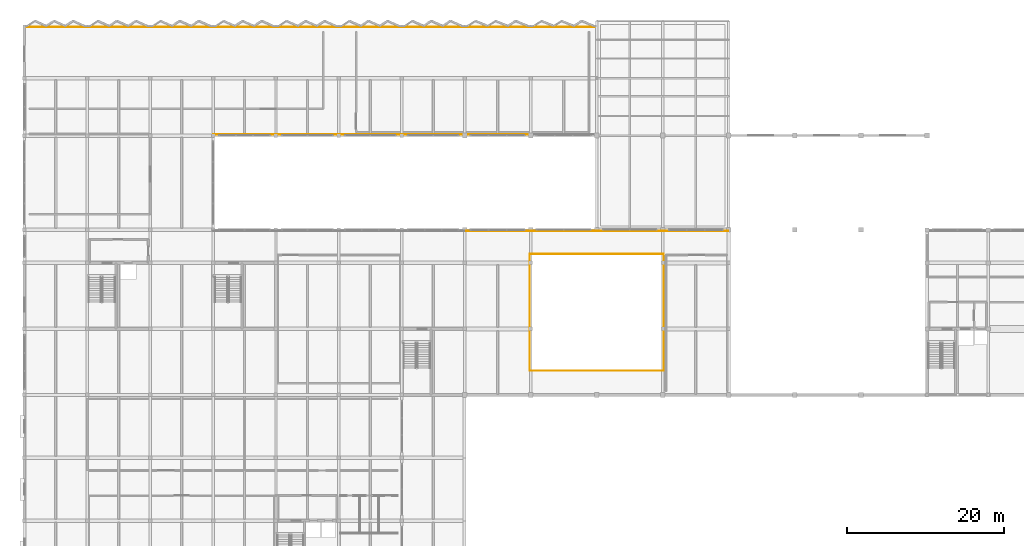
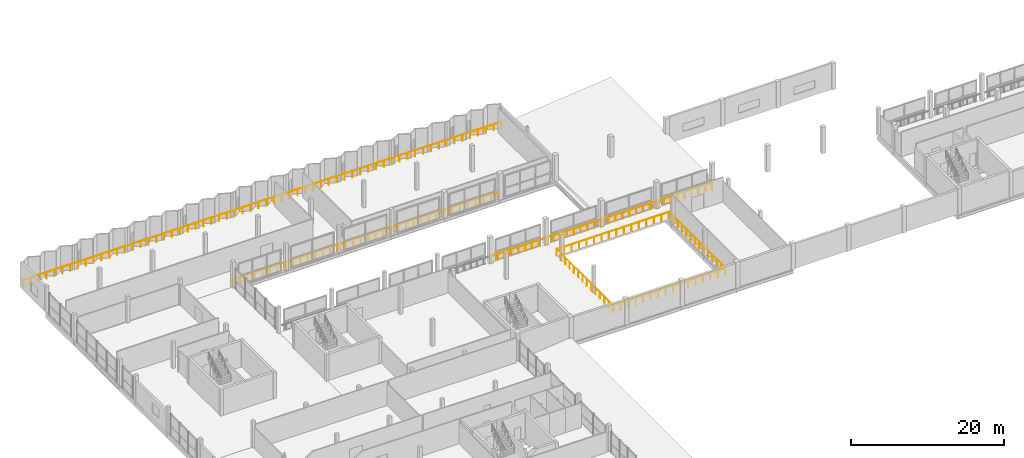
# One storey, part 49 of 53: 18 railings.
"""IFC4 building model written with IfcOpenShell, lengths in metres."""

from ifc_helpers import new_model, si_unit, direction, frame, origin, origin_2d, place, context, subcontext, project, spatial, circle, extrude, material, type_object, element, save


model = new_model("IFC4")

# Units and contexts
model_context = context("Model", 3, precision=1e-05, world=origin(), true_north=direction((0.0, 1.0)))
body_context = subcontext(model_context, "Body", "Model", "MODEL_VIEW")
ifc_project = project(units=[si_unit("LENGTHUNIT", "METRE"), si_unit("AREAUNIT", "SQUARE_METRE"), si_unit("VOLUMEUNIT", "CUBIC_METRE"), si_unit("PLANEANGLEUNIT", "RADIAN"), si_unit("MASSUNIT", "GRAM", prefix="KILO")], contexts=[model_context])

# Site, building, storey
site_placement = place(None, origin())
site = spatial("IfcSite", under=ifc_project, at=site_placement, CompositionType="ELEMENT")
building_placement = place(site_placement, origin())
building = spatial("IfcBuilding", under=site, at=building_placement, Name="Vharandega Faculty of Natural Sciences", CompositionType="ELEMENT")
storey_placement = place(building_placement, frame((0.0, 0.0, 10.199951171875)))
storey = spatial("IfcBuildingStorey", under=building, at=storey_placement, Name="L02", CompositionType="ELEMENT", Elevation=10.199951171875)

# Railings
ifc_material_1 = material(Name="Timber-capped steel and glass balustrade", Category="steel")
railing_type_1 = type_object("IfcRailingType", Name="Atrium Void Balustrade 1100", PredefinedType="BALUSTRADE", material=ifc_material_1)
railing_1_placement = place(storey_placement, frame((56.06494140625, 84.8798828125, 0.0)))
element("IfcRailing", 1, at=railing_1_placement, inside=storey, type_object=railing_type_1, Name="Atrium Glass Balustrade L02 #13", PredefinedType="BALUSTRADE", context=body_context, shape_type="SweptSolid", body=[
    extrude(circle(Radius=0.02392578125, at=origin_2d()), frame((0.0, 0.0, 1.076171875), z_axis=(1.0, 0.0, 0.0), x_axis=(0.0, 1.0, 0.0)), (0.0, 0.0, 1.0), 4.110107421875),
    extrude(circle(Radius=0.02099609375, at=origin_2d()), origin(), (0.0, 0.0, 1.0), 1.052001953125),
    extrude(circle(Radius=0.02099609375, at=origin_2d()), frame((1.027587890625, 0.0, 0.0)), (0.0, 0.0, 1.0), 1.052001953125),
    extrude(circle(Radius=0.02099609375, at=origin_2d()), frame((2.05517578125, 0.0, 0.0)), (0.0, 0.0, 1.0), 1.052001953125),
    extrude(circle(Radius=0.02099609375, at=origin_2d()), frame((3.08251953125, 0.0, 0.0)), (0.0, 0.0, 1.0), 1.052001953125),
    extrude(circle(Radius=0.02099609375, at=origin_2d()), frame((4.110107421875, 0.0, 0.0)), (0.0, 0.0, 1.0), 1.052001953125),
])
for number, where, name in (
    (2, (60.22509765625, 84.8798828125, 0.0), "Atrium Glass Balustrade L02 #14"),
    (3, (64.465087890625, 84.8798828125, 0.0), "Atrium Glass Balustrade L02 #16"),
):
    element("IfcRailing", number, at=place(storey_placement, frame(where)), inside=storey, type_object=railing_type_1, Name=name, PredefinedType="BALUSTRADE", context=body_context, shape_type="SweptSolid", body=[
        extrude(circle(Radius=0.02392578125, at=origin_2d()), frame((0.0, 0.0, 1.076171875), z_axis=(1.0, 0.0, 0.0), x_axis=(0.0, 1.0, 0.0)), (0.0, 0.0, 1.0), 4.10986328125),
        extrude(circle(Radius=0.02099609375, at=origin_2d()), origin(), (0.0, 0.0, 1.0), 1.052001953125),
        extrude(circle(Radius=0.02099609375, at=origin_2d()), frame((1.02734375, 0.0, 0.0)), (0.0, 0.0, 1.0), 1.052001953125),
        extrude(circle(Radius=0.02099609375, at=origin_2d()), frame((2.054931640625, 0.0, 0.0)), (0.0, 0.0, 1.0), 1.052001953125),
        extrude(circle(Radius=0.02099609375, at=origin_2d()), frame((3.08251953125, 0.0, 0.0)), (0.0, 0.0, 1.0), 1.052001953125),
        extrude(circle(Radius=0.02099609375, at=origin_2d()), frame((4.10986328125, 0.0, 0.0)), (0.0, 0.0, 1.0), 1.052001953125),
    ])
for number, where, name in (
    (4, (68.625, 84.8798828125, 0.0), "Atrium Glass Balustrade L02 #17"),
    (5, (72.864990234375, 84.8798828125, 0.0), "Atrium Glass Balustrade L02 #19"),
    (6, (77.02490234375, 84.8798828125, 0.0), "Atrium Glass Balustrade L02 #20"),
    (7, (81.264892578125, 84.8798828125, 0.0), "Atrium Glass Balustrade L02 #22"),
):
    element("IfcRailing", number, at=place(storey_placement, frame(where)), inside=storey, type_object=railing_type_1, Name=name, PredefinedType="BALUSTRADE", context=body_context, shape_type="SweptSolid", body=[
        extrude(circle(Radius=0.02392578125, at=origin_2d()), frame((0.0, 0.0, 1.076171875), z_axis=(1.0, 0.0, 0.0), x_axis=(0.0, 1.0, 0.0)), (0.0, 0.0, 1.0), 4.110107421875),
        extrude(circle(Radius=0.02099609375, at=origin_2d()), origin(), (0.0, 0.0, 1.0), 1.052001953125),
        extrude(circle(Radius=0.02099609375, at=origin_2d()), frame((1.027587890625, 0.0, 0.0)), (0.0, 0.0, 1.0), 1.052001953125),
        extrude(circle(Radius=0.02099609375, at=origin_2d()), frame((2.05517578125, 0.0, 0.0)), (0.0, 0.0, 1.0), 1.052001953125),
        extrude(circle(Radius=0.02099609375, at=origin_2d()), frame((3.08251953125, 0.0, 0.0)), (0.0, 0.0, 1.0), 1.052001953125),
        extrude(circle(Radius=0.02099609375, at=origin_2d()), frame((4.110107421875, 0.0, 0.0)), (0.0, 0.0, 1.0), 1.052001953125),
    ])
railing_2_placement = place(storey_placement, frame((85.425048828125, 84.8798828125, 0.0)))
element("IfcRailing", 8, at=railing_2_placement, inside=storey, type_object=railing_type_1, Name="Atrium Glass Balustrade L02 #23", PredefinedType="BALUSTRADE", context=body_context, shape_type="SweptSolid", body=[
    extrude(circle(Radius=0.02392578125, at=origin_2d()), frame((0.0, 0.0, 1.076171875), z_axis=(1.0, 0.0, 0.0), x_axis=(0.0, 1.0, 0.0)), (0.0, 0.0, 1.0), 4.10986328125),
    extrude(circle(Radius=0.02099609375, at=origin_2d()), origin(), (0.0, 0.0, 1.0), 1.052001953125),
    extrude(circle(Radius=0.02099609375, at=origin_2d()), frame((1.02734375, 0.0, 0.0)), (0.0, 0.0, 1.0), 1.052001953125),
    extrude(circle(Radius=0.02099609375, at=origin_2d()), frame((2.054931640625, 0.0, 0.0)), (0.0, 0.0, 1.0), 1.052001953125),
    extrude(circle(Radius=0.02099609375, at=origin_2d()), frame((3.08251953125, 0.0, 0.0)), (0.0, 0.0, 1.0), 1.052001953125),
    extrude(circle(Radius=0.02099609375, at=origin_2d()), frame((4.10986328125, 0.0, 0.0)), (0.0, 0.0, 1.0), 1.052001953125),
])
for number, where, name in (
    (9, (24.02490234375, 97.1201171875, 0.0), "Commons Courtyard Sill Balustrade L02 #1"),
    (10, (32.02490234375, 97.1201171875, 0.0), "Commons Courtyard Sill Balustrade L02 #2"),
    (11, (40.02490234375, 97.1201171875, 0.0), "Commons Courtyard Sill Balustrade L02 #3"),
    (12, (48.02490234375, 97.1201171875, 0.0), "Commons Courtyard Sill Balustrade L02 #4"),
):
    element("IfcRailing", number, at=place(storey_placement, frame(where)), inside=storey, type_object=railing_type_1, Name=name, PredefinedType="BALUSTRADE", context=body_context, shape_type="SweptSolid", body=[
        extrude(circle(Radius=0.02392578125, at=origin_2d()), frame((0.0, 0.0, 1.076171875), z_axis=(1.0, 0.0, 0.0), x_axis=(0.0, 1.0, 0.0)), (0.0, 0.0, 1.0), 7.9501953125),
        extrude(circle(Radius=0.02099609375, at=origin_2d()), origin(), (0.0, 0.0, 1.0), 1.052001953125),
        extrude(circle(Radius=0.02099609375, at=origin_2d()), frame((1.1357421875, 0.0, 0.0)), (0.0, 0.0, 1.0), 1.052001953125),
        extrude(circle(Radius=0.02099609375, at=origin_2d()), frame((2.271484375, 0.0, 0.0)), (0.0, 0.0, 1.0), 1.052001953125),
        extrude(circle(Radius=0.02099609375, at=origin_2d()), frame((3.4072265625, 0.0, 0.0)), (0.0, 0.0, 1.0), 1.052001953125),
        extrude(circle(Radius=0.02099609375, at=origin_2d()), frame((4.54296875, 0.0, 0.0)), (0.0, 0.0, 1.0), 1.052001953125),
        extrude(circle(Radius=0.02099609375, at=origin_2d()), frame((5.6787109375, 0.0, 0.0)), (0.0, 0.0, 1.0), 1.052001953125),
        extrude(circle(Radius=0.02099609375, at=origin_2d()), frame((6.814453125, 0.0, 0.0)), (0.0, 0.0, 1.0), 1.052001953125),
        extrude(circle(Radius=0.02099609375, at=origin_2d()), frame((7.9501953125, 0.0, 0.0)), (0.0, 0.0, 1.0), 1.052001953125),
    ])
railing_3_placement = place(storey_placement, frame((56.02490234375, 97.1201171875, 0.0)))
element("IfcRailing", 13, at=railing_3_placement, inside=storey, type_object=railing_type_1, Name="Commons Courtyard Sill Balustrade L02 #5", PredefinedType="BALUSTRADE", context=body_context, shape_type="SweptSolid", body=[
    extrude(circle(Radius=0.02392578125, at=origin_2d()), frame((0.0, 0.0, 1.076171875), z_axis=(1.0, 0.0, 0.0), x_axis=(0.0, 1.0, 0.0)), (0.0, 0.0, 1.0), 8.35009765625),
    extrude(circle(Radius=0.02099609375, at=origin_2d()), origin(), (0.0, 0.0, 1.0), 1.052001953125),
    extrude(circle(Radius=0.02099609375, at=origin_2d()), frame((1.19287109375, 0.0, 0.0)), (0.0, 0.0, 1.0), 1.052001953125),
    extrude(circle(Radius=0.02099609375, at=origin_2d()), frame((2.3857421875, 0.0, 0.0)), (0.0, 0.0, 1.0), 1.052001953125),
    extrude(circle(Radius=0.02099609375, at=origin_2d()), frame((3.57861328125, 0.0, 0.0)), (0.0, 0.0, 1.0), 1.052001953125),
    extrude(circle(Radius=0.02099609375, at=origin_2d()), frame((4.771484375, 0.0, 0.0)), (0.0, 0.0, 1.0), 1.052001953125),
    extrude(circle(Radius=0.02099609375, at=origin_2d()), frame((5.96435546875, 0.0, 0.0)), (0.0, 0.0, 1.0), 1.052001953125),
    extrude(circle(Radius=0.02099609375, at=origin_2d()), frame((7.1572265625, 0.0, 0.0)), (0.0, 0.0, 1.0), 1.052001953125),
    extrude(circle(Radius=0.02099609375, at=origin_2d()), frame((8.35009765625, 0.0, 0.0)), (0.0, 0.0, 1.0), 1.052001953125),
])
railing_4_placement = place(storey_placement, frame((64.304931640625, 67.080078125, 0.0)))
element("IfcRailing", 14, at=railing_4_placement, inside=storey, type_object=railing_type_1, Name="Atrium Void Balustrade L02 #1", PredefinedType="BALUSTRADE", context=body_context, shape_type="SweptSolid", body=[
    extrude(circle(Radius=0.02392578125, at=origin_2d()), frame((0.0, 0.0, 1.076171875), z_axis=(1.0, 0.0, 0.0), x_axis=(0.0, 1.0, 0.0)), (0.0, 0.0, 1.0), 16.989990234375),
    extrude(circle(Radius=0.02099609375, at=origin_2d()), origin(), (0.0, 0.0, 1.0), 1.052001953125),
    extrude(circle(Radius=0.02099609375, at=origin_2d()), frame((1.132568359375, 0.0, 0.0)), (0.0, 0.0, 1.0), 1.052001953125),
    extrude(circle(Radius=0.02099609375, at=origin_2d()), frame((2.265380859375, 0.0, 0.0)), (0.0, 0.0, 1.0), 1.052001953125),
    extrude(circle(Radius=0.02099609375, at=origin_2d()), frame((3.39794921875, 0.0, 0.0)), (0.0, 0.0, 1.0), 1.052001953125),
    extrude(circle(Radius=0.02099609375, at=origin_2d()), frame((4.53076171875, 0.0, 0.0)), (0.0, 0.0, 1.0), 1.052001953125),
    extrude(circle(Radius=0.02099609375, at=origin_2d()), frame((5.663330078125, 0.0, 0.0)), (0.0, 0.0, 1.0), 1.052001953125),
    extrude(circle(Radius=0.02099609375, at=origin_2d()), frame((6.7958984375, 0.0, 0.0)), (0.0, 0.0, 1.0), 1.052001953125),
    extrude(circle(Radius=0.02099609375, at=origin_2d()), frame((7.9287109375, 0.0, 0.0)), (0.0, 0.0, 1.0), 1.052001953125),
    extrude(circle(Radius=0.02099609375, at=origin_2d()), frame((9.061279296875, 0.0, 0.0)), (0.0, 0.0, 1.0), 1.052001953125),
    extrude(circle(Radius=0.02099609375, at=origin_2d()), frame((10.194091796875, 0.0, 0.0)), (0.0, 0.0, 1.0), 1.052001953125),
    extrude(circle(Radius=0.02099609375, at=origin_2d()), frame((11.32666015625, 0.0, 0.0)), (0.0, 0.0, 1.0), 1.052001953125),
    extrude(circle(Radius=0.02099609375, at=origin_2d()), frame((12.459228515625, 0.0, 0.0)), (0.0, 0.0, 1.0), 1.052001953125),
    extrude(circle(Radius=0.02099609375, at=origin_2d()), frame((13.592041015625, 0.0, 0.0)), (0.0, 0.0, 1.0), 1.052001953125),
    extrude(circle(Radius=0.02099609375, at=origin_2d()), frame((14.724609375, 0.0, 0.0)), (0.0, 0.0, 1.0), 1.052001953125),
    extrude(circle(Radius=0.02099609375, at=origin_2d()), frame((15.857421875, 0.0, 0.0)), (0.0, 0.0, 1.0), 1.052001953125),
    extrude(circle(Radius=0.02099609375, at=origin_2d()), frame((16.989990234375, 0.0, 0.0)), (0.0, 0.0, 1.0), 1.052001953125),
])
railing_5_placement = place(storey_placement, frame((81.320068359375, 67.10498046875, 0.0)))
element("IfcRailing", 15, at=railing_5_placement, inside=storey, type_object=railing_type_1, Name="Atrium Void Balustrade L02 #2", PredefinedType="BALUSTRADE", context=body_context, shape_type="SweptSolid", body=[
    extrude(circle(Radius=0.02392578125, at=origin_2d()), frame((0.0, 0.0, 1.076171875), z_axis=(0.0, 1.0, 0.0), x_axis=(-1.0, 0.0, 0.0)), (0.0, 0.0, 1.0), 14.7900390625),
    extrude(circle(Radius=0.02099609375, at=origin_2d()), origin(), (0.0, 0.0, 1.0), 1.052001953125),
    extrude(circle(Radius=0.02099609375, at=origin_2d()), frame((0.0, 1.1376953125, 0.0)), (0.0, 0.0, 1.0), 1.052001953125),
    extrude(circle(Radius=0.02099609375, at=origin_2d()), frame((0.0, 2.275390625, 0.0)), (0.0, 0.0, 1.0), 1.052001953125),
    extrude(circle(Radius=0.02099609375, at=origin_2d()), frame((0.0, 3.4130859375, 0.0)), (0.0, 0.0, 1.0), 1.052001953125),
    extrude(circle(Radius=0.02099609375, at=origin_2d()), frame((0.0, 4.55078125, 0.0)), (0.0, 0.0, 1.0), 1.052001953125),
    extrude(circle(Radius=0.02099609375, at=origin_2d()), frame((0.0, 5.6884765625, 0.0)), (0.0, 0.0, 1.0), 1.052001953125),
    extrude(circle(Radius=0.02099609375, at=origin_2d()), frame((0.0, 6.826171875, 0.0)), (0.0, 0.0, 1.0), 1.052001953125),
    extrude(circle(Radius=0.02099609375, at=origin_2d()), frame((0.0, 7.9638671875, 0.0)), (0.0, 0.0, 1.0), 1.052001953125),
    extrude(circle(Radius=0.02099609375, at=origin_2d()), frame((0.0, 9.1015625, 0.0)), (0.0, 0.0, 1.0), 1.052001953125),
    extrude(circle(Radius=0.02099609375, at=origin_2d()), frame((0.0, 10.2392578125, 0.0)), (0.0, 0.0, 1.0), 1.052001953125),
    extrude(circle(Radius=0.02099609375, at=origin_2d()), frame((0.0, 11.376953125, 0.0)), (0.0, 0.0, 1.0), 1.052001953125),
    extrude(circle(Radius=0.02099609375, at=origin_2d()), frame((0.0, 12.5146484375, 0.0)), (0.0, 0.0, 1.0), 1.052001953125),
    extrude(circle(Radius=0.02099609375, at=origin_2d()), frame((0.0, 13.65234375, 0.0)), (0.0, 0.0, 1.0), 1.052001953125),
    extrude(circle(Radius=0.02099609375, at=origin_2d()), frame((0.0, 14.7900390625, 0.0)), (0.0, 0.0, 1.0), 1.052001953125),
])
railing_6_placement = place(storey_placement, frame((81.294921875, 81.919921875, 0.0)))
element("IfcRailing", 16, at=railing_6_placement, inside=storey, type_object=railing_type_1, Name="Atrium Void Balustrade L02 #3", PredefinedType="BALUSTRADE", context=body_context, shape_type="SweptSolid", body=[
    extrude(circle(Radius=0.02392578125, at=origin_2d()), frame((0.0, 0.0, 1.076171875), z_axis=(-1.0, 0.0, 0.0), x_axis=(0.0, -1.0, 0.0)), (0.0, 0.0, 1.0), 16.989990234375),
    extrude(circle(Radius=0.02099609375, at=origin_2d()), origin(), (0.0, 0.0, 1.0), 1.052001953125),
    extrude(circle(Radius=0.02099609375, at=origin_2d()), frame((-1.132568359375, 0.0, 0.0)), (0.0, 0.0, 1.0), 1.052001953125),
    extrude(circle(Radius=0.02099609375, at=origin_2d()), frame((-2.265380859375, 0.0, 0.0)), (0.0, 0.0, 1.0), 1.052001953125),
    extrude(circle(Radius=0.02099609375, at=origin_2d()), frame((-3.39794921875, 0.0, 0.0)), (0.0, 0.0, 1.0), 1.052001953125),
    extrude(circle(Radius=0.02099609375, at=origin_2d()), frame((-4.53076171875, 0.0, 0.0)), (0.0, 0.0, 1.0), 1.052001953125),
    extrude(circle(Radius=0.02099609375, at=origin_2d()), frame((-5.663330078125, 0.0, 0.0)), (0.0, 0.0, 1.0), 1.052001953125),
    extrude(circle(Radius=0.02099609375, at=origin_2d()), frame((-6.7958984375, 0.0, 0.0)), (0.0, 0.0, 1.0), 1.052001953125),
    extrude(circle(Radius=0.02099609375, at=origin_2d()), frame((-7.9287109375, 0.0, 0.0)), (0.0, 0.0, 1.0), 1.052001953125),
    extrude(circle(Radius=0.02099609375, at=origin_2d()), frame((-9.061279296875, 0.0, 0.0)), (0.0, 0.0, 1.0), 1.052001953125),
    extrude(circle(Radius=0.02099609375, at=origin_2d()), frame((-10.194091796875, 0.0, 0.0)), (0.0, 0.0, 1.0), 1.052001953125),
    extrude(circle(Radius=0.02099609375, at=origin_2d()), frame((-11.32666015625, 0.0, 0.0)), (0.0, 0.0, 1.0), 1.052001953125),
    extrude(circle(Radius=0.02099609375, at=origin_2d()), frame((-12.459228515625, 0.0, 0.0)), (0.0, 0.0, 1.0), 1.052001953125),
    extrude(circle(Radius=0.02099609375, at=origin_2d()), frame((-13.592041015625, 0.0, 0.0)), (0.0, 0.0, 1.0), 1.052001953125),
    extrude(circle(Radius=0.02099609375, at=origin_2d()), frame((-14.724609375, 0.0, 0.0)), (0.0, 0.0, 1.0), 1.052001953125),
    extrude(circle(Radius=0.02099609375, at=origin_2d()), frame((-15.857421875, 0.0, 0.0)), (0.0, 0.0, 1.0), 1.052001953125),
    extrude(circle(Radius=0.02099609375, at=origin_2d()), frame((-16.989990234375, 0.0, 0.0)), (0.0, 0.0, 1.0), 1.052001953125),
])
railing_7_placement = place(storey_placement, frame((64.280029296875, 81.89501953125, 0.0)))
element("IfcRailing", 17, at=railing_7_placement, inside=storey, type_object=railing_type_1, Name="Atrium Void Balustrade L02 #4", PredefinedType="BALUSTRADE", context=body_context, shape_type="SweptSolid", body=[
    extrude(circle(Radius=0.02392578125, at=origin_2d()), frame((0.0, 0.0, 1.076171875), z_axis=(0.0, -1.0, 0.0), x_axis=(1.0, 0.0, 0.0)), (0.0, 0.0, 1.0), 14.7900390625),
    extrude(circle(Radius=0.02099609375, at=origin_2d()), origin(), (0.0, 0.0, 1.0), 1.052001953125),
    extrude(circle(Radius=0.02099609375, at=origin_2d()), frame((0.0, -1.1376953125, 0.0)), (0.0, 0.0, 1.0), 1.052001953125),
    extrude(circle(Radius=0.02099609375, at=origin_2d()), frame((0.0, -2.275390625, 0.0)), (0.0, 0.0, 1.0), 1.052001953125),
    extrude(circle(Radius=0.02099609375, at=origin_2d()), frame((0.0, -3.4130859375, 0.0)), (0.0, 0.0, 1.0), 1.052001953125),
    extrude(circle(Radius=0.02099609375, at=origin_2d()), frame((0.0, -4.55078125, 0.0)), (0.0, 0.0, 1.0), 1.052001953125),
    extrude(circle(Radius=0.02099609375, at=origin_2d()), frame((0.0, -5.6884765625, 0.0)), (0.0, 0.0, 1.0), 1.052001953125),
    extrude(circle(Radius=0.02099609375, at=origin_2d()), frame((0.0, -6.826171875, 0.0)), (0.0, 0.0, 1.0), 1.052001953125),
    extrude(circle(Radius=0.02099609375, at=origin_2d()), frame((0.0, -7.9638671875, 0.0)), (0.0, 0.0, 1.0), 1.052001953125),
    extrude(circle(Radius=0.02099609375, at=origin_2d()), frame((0.0, -9.1015625, 0.0)), (0.0, 0.0, 1.0), 1.052001953125),
    extrude(circle(Radius=0.02099609375, at=origin_2d()), frame((0.0, -10.2392578125, 0.0)), (0.0, 0.0, 1.0), 1.052001953125),
    extrude(circle(Radius=0.02099609375, at=origin_2d()), frame((0.0, -11.376953125, 0.0)), (0.0, 0.0, 1.0), 1.052001953125),
    extrude(circle(Radius=0.02099609375, at=origin_2d()), frame((0.0, -12.5146484375, 0.0)), (0.0, 0.0, 1.0), 1.052001953125),
    extrude(circle(Radius=0.02099609375, at=origin_2d()), frame((0.0, -13.65234375, 0.0)), (0.0, 0.0, 1.0), 1.052001953125),
    extrude(circle(Radius=0.02099609375, at=origin_2d()), frame((0.0, -14.7900390625, 0.0)), (0.0, 0.0, 1.0), 1.052001953125),
])
ifc_material_2 = material(Name="Galvanised painted steel balustrade", Category="steel")
railing_type_2 = type_object("IfcRailingType", Name="Terrace Steel Guardrail 1100", PredefinedType="GUARDRAIL", material=ifc_material_2)
railing_8_placement = place(storey_placement, frame((0.175048828125, 110.800048828125, 0.0)))
element("IfcRailing", 18, at=railing_8_placement, inside=storey, type_object=railing_type_2, Name="Commons North Sill Guard L02 #1", PredefinedType="GUARDRAIL", context=body_context, shape_type="SweptSolid", body=[
    extrude(circle(Radius=0.02392578125, at=origin_2d()), frame((0.0, 0.0, 1.076171875), z_axis=(1.0, 0.0, 0.0), x_axis=(0.0, 1.0, 0.0)), (0.0, 0.0, 1.0), 72.449951171875),
    extrude(circle(Radius=0.02099609375, at=origin_2d()), origin(), (0.0, 0.0, 1.0), 1.052001953125),
    extrude(circle(Radius=0.02099609375, at=origin_2d()), frame((1.187744140625, 0.0, 0.0)), (0.0, 0.0, 1.0), 1.052001953125),
    extrude(circle(Radius=0.02099609375, at=origin_2d()), frame((2.37548828125, 0.0, 0.0)), (0.0, 0.0, 1.0), 1.052001953125),
    extrude(circle(Radius=0.02099609375, at=origin_2d()), frame((3.563232421875, 0.0, 0.0)), (0.0, 0.0, 1.0), 1.052001953125),
    extrude(circle(Radius=0.02099609375, at=origin_2d()), frame((4.750732421875, 0.0, 0.0)), (0.0, 0.0, 1.0), 1.052001953125),
    extrude(circle(Radius=0.02099609375, at=origin_2d()), frame((5.9384765625, 0.0, 0.0)), (0.0, 0.0, 1.0), 1.052001953125),
    extrude(circle(Radius=0.02099609375, at=origin_2d()), frame((7.126220703125, 0.0, 0.0)), (0.0, 0.0, 1.0), 1.052001953125),
    extrude(circle(Radius=0.02099609375, at=origin_2d()), frame((8.31396484375, 0.0, 0.0)), (0.0, 0.0, 1.0), 1.052001953125),
    extrude(circle(Radius=0.02099609375, at=origin_2d()), frame((9.501708984375, 0.0, 0.0)), (0.0, 0.0, 1.0), 1.052001953125),
    extrude(circle(Radius=0.02099609375, at=origin_2d()), frame((10.689453125, 0.0, 0.0)), (0.0, 0.0, 1.0), 1.052001953125),
    extrude(circle(Radius=0.02099609375, at=origin_2d()), frame((11.876953125, 0.0, 0.0)), (0.0, 0.0, 1.0), 1.052001953125),
    extrude(circle(Radius=0.02099609375, at=origin_2d()), frame((13.064697265625, 0.0, 0.0)), (0.0, 0.0, 1.0), 1.052001953125),
    extrude(circle(Radius=0.02099609375, at=origin_2d()), frame((14.25244140625, 0.0, 0.0)), (0.0, 0.0, 1.0), 1.052001953125),
    extrude(circle(Radius=0.02099609375, at=origin_2d()), frame((15.440185546875, 0.0, 0.0)), (0.0, 0.0, 1.0), 1.052001953125),
    extrude(circle(Radius=0.02099609375, at=origin_2d()), frame((16.6279296875, 0.0, 0.0)), (0.0, 0.0, 1.0), 1.052001953125),
    extrude(circle(Radius=0.02099609375, at=origin_2d()), frame((17.815673828125, 0.0, 0.0)), (0.0, 0.0, 1.0), 1.052001953125),
    extrude(circle(Radius=0.02099609375, at=origin_2d()), frame((19.003173828125, 0.0, 0.0)), (0.0, 0.0, 1.0), 1.052001953125),
    extrude(circle(Radius=0.02099609375, at=origin_2d()), frame((20.19091796875, 0.0, 0.0)), (0.0, 0.0, 1.0), 1.052001953125),
    extrude(circle(Radius=0.02099609375, at=origin_2d()), frame((21.378662109375, 0.0, 0.0)), (0.0, 0.0, 1.0), 1.052001953125),
    extrude(circle(Radius=0.02099609375, at=origin_2d()), frame((22.56640625, 0.0, 0.0)), (0.0, 0.0, 1.0), 1.052001953125),
    extrude(circle(Radius=0.02099609375, at=origin_2d()), frame((23.754150390625, 0.0, 0.0)), (0.0, 0.0, 1.0), 1.052001953125),
    extrude(circle(Radius=0.02099609375, at=origin_2d()), frame((24.94189453125, 0.0, 0.0)), (0.0, 0.0, 1.0), 1.052001953125),
    extrude(circle(Radius=0.02099609375, at=origin_2d()), frame((26.12939453125, 0.0, 0.0)), (0.0, 0.0, 1.0), 1.052001953125),
    extrude(circle(Radius=0.02099609375, at=origin_2d()), frame((27.317138671875, 0.0, 0.0)), (0.0, 0.0, 1.0), 1.052001953125),
    extrude(circle(Radius=0.02099609375, at=origin_2d()), frame((28.5048828125, 0.0, 0.0)), (0.0, 0.0, 1.0), 1.052001953125),
    extrude(circle(Radius=0.02099609375, at=origin_2d()), frame((29.692626953125, 0.0, 0.0)), (0.0, 0.0, 1.0), 1.052001953125),
    extrude(circle(Radius=0.02099609375, at=origin_2d()), frame((30.88037109375, 0.0, 0.0)), (0.0, 0.0, 1.0), 1.052001953125),
    extrude(circle(Radius=0.02099609375, at=origin_2d()), frame((32.068115234375, 0.0, 0.0)), (0.0, 0.0, 1.0), 1.052001953125),
    extrude(circle(Radius=0.02099609375, at=origin_2d()), frame((33.255615234375, 0.0, 0.0)), (0.0, 0.0, 1.0), 1.052001953125),
    extrude(circle(Radius=0.02099609375, at=origin_2d()), frame((34.443359375, 0.0, 0.0)), (0.0, 0.0, 1.0), 1.052001953125),
    extrude(circle(Radius=0.02099609375, at=origin_2d()), frame((35.631103515625, 0.0, 0.0)), (0.0, 0.0, 1.0), 1.052001953125),
    extrude(circle(Radius=0.02099609375, at=origin_2d()), frame((36.81884765625, 0.0, 0.0)), (0.0, 0.0, 1.0), 1.052001953125),
    extrude(circle(Radius=0.02099609375, at=origin_2d()), frame((38.006591796875, 0.0, 0.0)), (0.0, 0.0, 1.0), 1.052001953125),
    extrude(circle(Radius=0.02099609375, at=origin_2d()), frame((39.1943359375, 0.0, 0.0)), (0.0, 0.0, 1.0), 1.052001953125),
    extrude(circle(Radius=0.02099609375, at=origin_2d()), frame((40.3818359375, 0.0, 0.0)), (0.0, 0.0, 1.0), 1.052001953125),
    extrude(circle(Radius=0.02099609375, at=origin_2d()), frame((41.569580078125, 0.0, 0.0)), (0.0, 0.0, 1.0), 1.052001953125),
    extrude(circle(Radius=0.02099609375, at=origin_2d()), frame((42.75732421875, 0.0, 0.0)), (0.0, 0.0, 1.0), 1.052001953125),
    extrude(circle(Radius=0.02099609375, at=origin_2d()), frame((43.945068359375, 0.0, 0.0)), (0.0, 0.0, 1.0), 1.052001953125),
    extrude(circle(Radius=0.02099609375, at=origin_2d()), frame((45.1328125, 0.0, 0.0)), (0.0, 0.0, 1.0), 1.052001953125),
    extrude(circle(Radius=0.02099609375, at=origin_2d()), frame((46.320556640625, 0.0, 0.0)), (0.0, 0.0, 1.0), 1.052001953125),
    extrude(circle(Radius=0.02099609375, at=origin_2d()), frame((47.508056640625, 0.0, 0.0)), (0.0, 0.0, 1.0), 1.052001953125),
    extrude(circle(Radius=0.02099609375, at=origin_2d()), frame((48.69580078125, 0.0, 0.0)), (0.0, 0.0, 1.0), 1.052001953125),
    extrude(circle(Radius=0.02099609375, at=origin_2d()), frame((49.883544921875, 0.0, 0.0)), (0.0, 0.0, 1.0), 1.052001953125),
    extrude(circle(Radius=0.02099609375, at=origin_2d()), frame((51.0712890625, 0.0, 0.0)), (0.0, 0.0, 1.0), 1.052001953125),
    extrude(circle(Radius=0.02099609375, at=origin_2d()), frame((52.259033203125, 0.0, 0.0)), (0.0, 0.0, 1.0), 1.052001953125),
    extrude(circle(Radius=0.02099609375, at=origin_2d()), frame((53.44677734375, 0.0, 0.0)), (0.0, 0.0, 1.0), 1.052001953125),
    extrude(circle(Radius=0.02099609375, at=origin_2d()), frame((54.63427734375, 0.0, 0.0)), (0.0, 0.0, 1.0), 1.052001953125),
    extrude(circle(Radius=0.02099609375, at=origin_2d()), frame((55.822021484375, 0.0, 0.0)), (0.0, 0.0, 1.0), 1.052001953125),
    extrude(circle(Radius=0.02099609375, at=origin_2d()), frame((57.009765625, 0.0, 0.0)), (0.0, 0.0, 1.0), 1.052001953125),
    extrude(circle(Radius=0.02099609375, at=origin_2d()), frame((58.197509765625, 0.0, 0.0)), (0.0, 0.0, 1.0), 1.052001953125),
    extrude(circle(Radius=0.02099609375, at=origin_2d()), frame((59.38525390625, 0.0, 0.0)), (0.0, 0.0, 1.0), 1.052001953125),
    extrude(circle(Radius=0.02099609375, at=origin_2d()), frame((60.572998046875, 0.0, 0.0)), (0.0, 0.0, 1.0), 1.052001953125),
    extrude(circle(Radius=0.02099609375, at=origin_2d()), frame((61.760498046875, 0.0, 0.0)), (0.0, 0.0, 1.0), 1.052001953125),
    extrude(circle(Radius=0.02099609375, at=origin_2d()), frame((62.9482421875, 0.0, 0.0)), (0.0, 0.0, 1.0), 1.052001953125),
    extrude(circle(Radius=0.02099609375, at=origin_2d()), frame((64.135986328125, 0.0, 0.0)), (0.0, 0.0, 1.0), 1.052001953125),
    extrude(circle(Radius=0.02099609375, at=origin_2d()), frame((65.32373046875, 0.0, 0.0)), (0.0, 0.0, 1.0), 1.052001953125),
    extrude(circle(Radius=0.02099609375, at=origin_2d()), frame((66.511474609375, 0.0, 0.0)), (0.0, 0.0, 1.0), 1.052001953125),
    extrude(circle(Radius=0.02099609375, at=origin_2d()), frame((67.69921875, 0.0, 0.0)), (0.0, 0.0, 1.0), 1.052001953125),
    extrude(circle(Radius=0.02099609375, at=origin_2d()), frame((68.88671875, 0.0, 0.0)), (0.0, 0.0, 1.0), 1.052001953125),
    extrude(circle(Radius=0.02099609375, at=origin_2d()), frame((70.074462890625, 0.0, 0.0)), (0.0, 0.0, 1.0), 1.052001953125),
    extrude(circle(Radius=0.02099609375, at=origin_2d()), frame((71.26220703125, 0.0, 0.0)), (0.0, 0.0, 1.0), 1.052001953125),
    extrude(circle(Radius=0.02099609375, at=origin_2d()), frame((72.449951171875, 0.0, 0.0)), (0.0, 0.0, 1.0), 1.052001953125),
])

save(model, "model.ifc")
